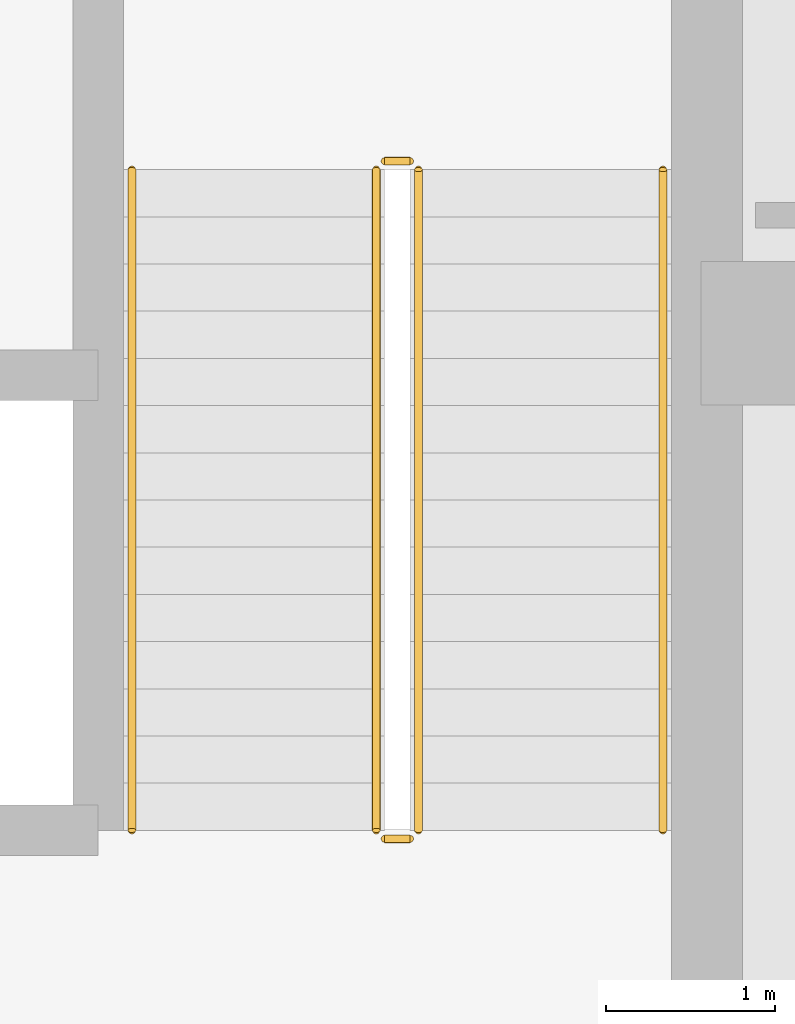
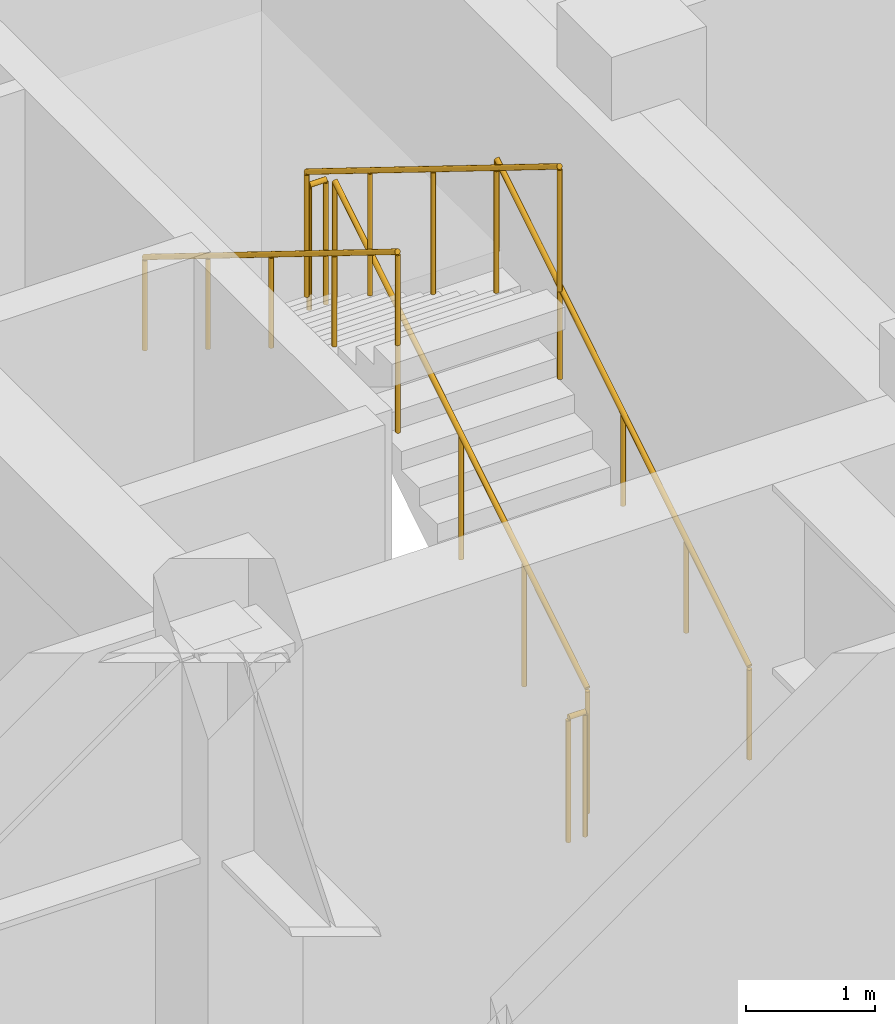
# One storey, part 29 of 33: 6 railings.
"""IFC4 building model written with IfcOpenShell, lengths in metres."""

import ifcopenshell
import ifcopenshell.guid

model = None  # the IFC model being written
_history = None  # IfcOwnerHistory: only IFC2X3 demands one
_inside = {}  # id of a spatial element -> (the spatial element, [elements in it])
_under = {}  # id of a project, library or spatial element -> (it, [spatial elements below it])
_declared = {}  # id of a project -> (the project, [libraries it declares])
_typed = {}  # id of a type object -> (the type object, [elements of that type])
_made_of = {}  # id of a material, layer set ... -> (it, [elements and type objects made of it])


def new_model(schema):
    """Start an empty IFC model of exactly this schema.

    Asked for "IFC4X3", IfcOpenShell would pick the latest addendum, in which some entities
    have other attributes; the version numbers below select the first issue.
    IFC2X3 requires an IfcOwnerHistory on every rooted entity: one is made here for all.
    """
    global model, _history
    if schema == "IFC4X3":
        model = ifcopenshell.file(schema_version=(4, 3, 0, 0))
    else:
        model = ifcopenshell.file(schema=schema)
    _inside.clear()
    _under.clear()
    _declared.clear()
    _typed.clear()
    _made_of.clear()
    _history = None
    if model.schema == "IFC2X3":
        org = make("IfcOrganization", Name="unknown")
        user = make(
            "IfcPersonAndOrganization",
            ThePerson=make("IfcPerson", FamilyName="unknown"),
            TheOrganization=org,
        )
        app = make(
            "IfcApplication",
            ApplicationDeveloper=org,
            Version="unknown",
            ApplicationFullName="unknown",
            ApplicationIdentifier="unknown",
        )
        _history = make(
            "IfcOwnerHistory",
            OwningUser=user,
            OwningApplication=app,
            ChangeAction="ADDED",
            CreationDate=0,
        )
    return model


def make(cls, **values):
    """One entity of the class cls with the attributes given. An attribute that is None is left unset."""
    return model.create_entity(
        cls, **{name: value for name, value in values.items() if value is not None}
    )


def rooted(cls, **values):
    """An entity with a GlobalId (a new one), such as an element, a storey or a relation."""
    return make(cls, GlobalId=ifcopenshell.guid.new(), OwnerHistory=_history, **values)


def si_unit(unit_type, name, prefix=None):
    """IfcSIUnit, for example si_unit("LENGTHUNIT", "METRE", prefix="MILLI")."""
    return make("IfcSIUnit", UnitType=unit_type, Prefix=prefix, Name=name)


def assignment(units):
    """IfcUnitAssignment: the units of a project."""
    return None if units is None else make("IfcUnitAssignment", Units=units)


def point(xyz):
    """IfcCartesianPoint."""
    return None if xyz is None else make("IfcCartesianPoint", Coordinates=xyz)


def direction(xyz):
    """IfcDirection."""
    return None if xyz is None else make("IfcDirection", DirectionRatios=xyz)


def frame(location, z_axis=None, x_axis=None):
    """IfcAxis2Placement3D, a coordinate frame: its origin and axes. An axis left out is left unset."""
    return make(
        "IfcAxis2Placement3D",
        Location=point(location),
        Axis=direction(z_axis),
        RefDirection=direction(x_axis),
    )


def frame_2d(location, x_axis=None):
    """IfcAxis2Placement2D, a coordinate frame in the plane: its origin and x axis."""
    return make(
        "IfcAxis2Placement2D", Location=point(location), RefDirection=direction(x_axis)
    )


def origin():
    """The frame at (0, 0, 0) with its axes left unset."""
    return frame((0.0, 0.0, 0.0))


def origin_2d():
    """The frame at (0, 0) in the plane with its x axis left unset."""
    return frame_2d((0.0, 0.0))


def place(relative_to, where):
    """IfcLocalPlacement: puts the frame where relative to a parent placement (None: the world)."""
    return make(
        "IfcLocalPlacement", PlacementRelTo=relative_to, RelativePlacement=where
    )


def context(
    kind, dimensions, precision=None, world=None, true_north=None, identifier=None
):
    """IfcGeometricRepresentationContext, for example the 3D "Model" context."""
    return make(
        "IfcGeometricRepresentationContext",
        ContextIdentifier=identifier,
        ContextType=kind,
        CoordinateSpaceDimension=dimensions,
        Precision=precision,
        WorldCoordinateSystem=world,
        TrueNorth=true_north,
    )


def subcontext(parent, identifier, kind, view, scale=None):
    """IfcGeometricRepresentationSubContext, for example "Body" below "Model"."""
    return make(
        "IfcGeometricRepresentationSubContext",
        ContextIdentifier=identifier,
        ContextType=kind,
        ParentContext=parent,
        TargetScale=scale,
        TargetView=view,
    )


def project(units=None, contexts=None):
    """IfcProject with its units and contexts."""
    return rooted(
        "IfcProject",
        Name="project",
        RepresentationContexts=contexts,
        UnitsInContext=assignment(units),
    )


def spatial(cls, under=None, at=None, **own):
    """A site, building, storey or space (cls), placed at a placement, below another one or the project."""
    s = rooted(cls, ObjectPlacement=at, **own)
    if under is not None:
        _under.setdefault(under.id(), (under, []))[1].append(s)
    return s


def profile(cls, at=None, kind="AREA", **sizes):
    """A parametric profile (cls). Its sizes go by their IFC names, for example OverallWidth=200.0."""
    return make(cls, ProfileType=kind, Position=at, **sizes)


def circle(**sizes):
    """IfcCircleProfileDef."""
    return profile("IfcCircleProfileDef", **sizes)


def extrude(swept, where, along, depth):
    """IfcExtrudedAreaSolid: the profile swept, set in the frame where, extruded along a direction by depth."""
    return make(
        "IfcExtrudedAreaSolid",
        SweptArea=swept,
        Position=where,
        ExtrudedDirection=direction(along),
        Depth=depth,
    )


def shape(context_of_items, identifier, shape_type, items):
    """IfcShapeRepresentation: the items that make up one representation, for example the "Body"."""
    return make(
        "IfcShapeRepresentation",
        ContextOfItems=context_of_items,
        RepresentationIdentifier=identifier,
        RepresentationType=shape_type,
        Items=items,
    )


def source(mapping_origin, context_of_items, identifier, shape_type, items):
    """IfcRepresentationMap: a shape defined once, which mapped items show again and again."""
    return make(
        "IfcRepresentationMap",
        MappingOrigin=mapping_origin,
        MappedRepresentation=shape(context_of_items, identifier, shape_type, items),
    )


def transform(
    local_origin,
    x_axis=None,
    y_axis=None,
    z_axis=None,
    scale=None,
    scale2=None,
    scale3=None,
    uniform=True,
):
    """IfcCartesianTransformationOperator3D, or its non-uniform kind. x_axis, y_axis, z_axis: its Axis1, 2, 3."""
    if uniform:
        return make(
            "IfcCartesianTransformationOperator3D",
            Axis1=direction(x_axis),
            Axis2=direction(y_axis),
            LocalOrigin=point(local_origin),
            Scale=scale,
            Axis3=direction(z_axis),
        )
    return make(
        "IfcCartesianTransformationOperator3DnonUniform",
        Axis1=direction(x_axis),
        Axis2=direction(y_axis),
        LocalOrigin=point(local_origin),
        Scale=scale,
        Axis3=direction(z_axis),
        Scale2=scale2,
        Scale3=scale3,
    )


def mapped(mapping_source, mapping_target):
    """IfcMappedItem: shows the shape of a source again, moved by a transform."""
    return make(
        "IfcMappedItem", MappingSource=mapping_source, MappingTarget=mapping_target
    )


def material(Name=None, Category=None):
    """IfcMaterial."""
    return make("IfcMaterial", Name=Name, Category=Category)


def made_of(thing, what):
    """Note that an element or type object is made of a material, layer set ...; save() writes the relation."""
    if what is not None:
        _made_of.setdefault(what.id(), (what, []))[1].append(thing)
    return thing


def type_object(cls, material=None, **own):
    """A type object (cls), such as IfcWallType, which elements share."""
    return made_of(rooted(cls, **own), material)


def element(
    cls,
    number,
    at=None,
    inside=None,
    cuts=None,
    type_object=None,
    material=None,
    context=None,
    identifier="Body",
    shape_type=None,
    held_by="IfcProductDefinitionShape",
    body=None,
    shapes=None,
    **own,
):
    """One element of the class cls, such as IfcWall. Its Tag is "e" and its number.

    at: its placement. inside: the storey or other place that contains it. cuts: it is an
    opening in that element (IfcRelVoidsElement). A single representation is given by context,
    identifier, shape_type and body (its items); several are given by shapes. held_by: the class
    of the entity that holds the representations. save() writes the other relations.
    """
    e = rooted(cls, Tag="e%d" % number, ObjectPlacement=at, **own)
    if body is not None:
        shapes = [shape(context, identifier, shape_type, body)]
    if shapes is not None:
        e.Representation = make(held_by, Representations=shapes)
    if inside is not None:
        _inside.setdefault(inside.id(), (inside, []))[1].append(e)
    if cuts is not None:
        rooted(
            "IfcRelVoidsElement", RelatingBuildingElement=cuts, RelatedOpeningElement=e
        )
    if type_object is not None:
        _typed.setdefault(type_object.id(), (type_object, []))[1].append(e)
    return made_of(e, material)


def aggregate(whole, parts):
    """IfcRelAggregates: a whole, such as a stair, and the parts it consists of."""
    return rooted("IfcRelAggregates", RelatingObject=whole, RelatedObjects=parts)


def save(model, path):
    """Write the relations noted so far, then the file.

    IfcRelAggregates (storeys below a building ...), IfcRelContainedInSpatialStructure (elements
    in a storey), IfcRelDefinesByType, IfcRelAssociatesMaterial and IfcRelDeclares: one each for
    every whole, place, type object, material and project.
    """
    for whole, parts in _under.values():
        aggregate(whole, parts)
    for where, things in _inside.values():
        rooted(
            "IfcRelContainedInSpatialStructure",
            RelatedElements=things,
            RelatingStructure=where,
        )
    for kind, things in _typed.values():
        rooted("IfcRelDefinesByType", RelatedObjects=things, RelatingType=kind)
    for what, things in _made_of.values():
        rooted("IfcRelAssociatesMaterial", RelatedObjects=things, RelatingMaterial=what)
    for by, libraries in _declared.values():
        rooted("IfcRelDeclares", RelatingContext=by, RelatedDefinitions=libraries)
    model.write(path)


model = new_model("IFC4")

# Units and contexts
model_context = context("Model", 3, precision=1e-05, world=origin(), true_north=direction((0.0, 1.0)))
body_context = subcontext(model_context, "Body", "Model", "MODEL_VIEW")
ifc_project = project(units=[si_unit("LENGTHUNIT", "METRE"), si_unit("AREAUNIT", "SQUARE_METRE"), si_unit("VOLUMEUNIT", "CUBIC_METRE"), si_unit("PLANEANGLEUNIT", "RADIAN"), si_unit("MASSUNIT", "GRAM", prefix="KILO")], contexts=[model_context])

# Site, building, storey
site_placement = place(None, origin())
site = spatial("IfcSite", under=ifc_project, at=site_placement, CompositionType="ELEMENT")
building_placement = place(site_placement, origin())
building = spatial("IfcBuilding", under=site, at=building_placement, Name="Khorayat Bourse Tower", CompositionType="ELEMENT")
storey_placement = place(building_placement, frame((0.0, 0.0, 263.10009765625)))
storey = spatial("IfcBuildingStorey", under=building, at=storey_placement, Name="L62", CompositionType="ELEMENT", Elevation=263.10009765625)

# Railings
ifc_material_1 = material(Name="Powder-coated steel balustrade", Category="steel")
railing_type_1 = type_object("IfcRailingType", Name="RLG-GUARD-1200", PredefinedType="GUARDRAIL", material=ifc_material_1)
shared_shape_1 = source(origin(), body_context, "Body", "SweptSolid", [
    extrude(circle(Radius=0.02392578125, at=origin_2d()), frame((0.0, 0.0, 1.17578125), z_axis=(-1.0, 0.0, 0.0), x_axis=(0.0, -1.0, 0.0)), (0.0, 0.0, 1.0), 0.150146484375),
    extrude(circle(Radius=0.02099609375, at=origin_2d()), origin(), (0.0, 0.0, 1.0), 1.15185546875),
    extrude(circle(Radius=0.02099609375, at=origin_2d()), frame((-0.150146484375, 0.0, 0.0)), (0.0, 0.0, 1.0), 1.15185546875),
])
for number, where, name in (
    (1, (-6.64990234375, -4.97998046875, 2.599853515625), "L62 ST-1 stair guard 2"),
    (2, (-6.64990234375, -9.0, 0.0), "L62 ST-1 stair guard 4"),
):
    element("IfcRailing", number, at=place(storey_placement, frame(where)), inside=storey, type_object=railing_type_1, Name=name, PredefinedType="GUARDRAIL", context=body_context, shape_type="MappedRepresentation", body=[
        mapped(shared_shape_1, transform((0.0, 0.0, 0.0), scale=1.0)),
    ])
shared_shape_2 = source(origin(), body_context, "Body", "SweptSolid", [
    extrude(circle(Radius=0.02392578125, at=origin_2d()), frame((0.0, 0.0, 1.17578125), z_axis=(0.0, -0.850251603719, 0.526376491091), x_axis=(1.0, 0.0, 0.0)), (0.0, 0.0, 1.0), 4.6103515625),
    extrude(circle(Radius=0.02099609375, at=origin_2d()), origin(), (0.0, 0.0, 1.0), 1.15185546875),
    extrude(circle(Radius=0.02099609375, at=origin_2d()), frame((0.0, -0.97998046875, 0.606689453125)), (0.0, 0.0, 1.0), 1.15185546875),
    extrude(circle(Radius=0.02099609375, at=origin_2d()), frame((0.0, -1.9599609375, 1.21337890625)), (0.0, 0.0, 1.0), 1.15185546875),
    extrude(circle(Radius=0.02099609375, at=origin_2d()), frame((0.0, -2.93994140625, 1.820068359375)), (0.0, 0.0, 1.0), 1.15185546875),
    extrude(circle(Radius=0.02099609375, at=origin_2d()), frame((0.0, -3.919921875, 2.4267578125)), (0.0, 0.0, 1.0), 1.15185546875),
])
railing_1_placement = place(storey_placement, frame((-6.85009765625, -5.030029296875, 2.773193359375)))
element("IfcRailing", 3, at=railing_1_placement, inside=storey, type_object=railing_type_1, Name="L62 ST-1 stair guard 3", PredefinedType="GUARDRAIL", context=body_context, shape_type="MappedRepresentation", body=[
    mapped(shared_shape_2, transform((0.0, 0.0, 0.0), scale=1.0)),
])
ifc_material_2 = material(Name="Brushed bronze stainless-steel handrail", Category="steel")
railing_type_2 = type_object("IfcRailingType", Name="RLG-HAND-900", PredefinedType="HANDRAIL", material=ifc_material_2)
shared_shape_3 = source(origin(), body_context, "Body", "SweptSolid", [
    extrude(circle(Radius=0.02392578125, at=origin_2d()), frame((0.0, 0.0, 0.8759765625), z_axis=(0.0, -0.850251603719, 0.526376491091), x_axis=(1.0, 0.0, 0.0)), (0.0, 0.0, 1.0), 4.6103515625),
    extrude(circle(Radius=0.02099609375, at=origin_2d()), origin(), (0.0, 0.0, 1.0), 0.851806640625),
    extrude(circle(Radius=0.02099609375, at=origin_2d()), frame((0.0, -0.97998046875, 0.606689453125)), (0.0, 0.0, 1.0), 0.851806640625),
    extrude(circle(Radius=0.02099609375, at=origin_2d()), frame((0.0, -1.9599609375, 1.21337890625)), (0.0, 0.0, 1.0), 0.851806640625),
    extrude(circle(Radius=0.02099609375, at=origin_2d()), frame((0.0, -2.93994140625, 1.820068359375)), (0.0, 0.0, 1.0), 0.851806640625),
    extrude(circle(Radius=0.02099609375, at=origin_2d()), frame((0.0, -3.919921875, 2.4267578125)), (0.0, 0.0, 1.0), 0.851806640625),
])
railing_2_placement = place(storey_placement, frame((-8.300048828125, -5.030029296875, 2.773193359375)))
element("IfcRailing", 4, at=railing_2_placement, inside=storey, type_object=railing_type_2, Name="L62 ST-1 stair handrail 2", PredefinedType="HANDRAIL", context=body_context, shape_type="MappedRepresentation", body=[
    mapped(shared_shape_3, transform((0.0, 0.0, 0.0), scale=1.0)),
])
shared_shape_4 = source(origin(), body_context, "Body", "SweptSolid", [
    extrude(circle(Radius=0.02392578125, at=origin_2d()), frame((0.0, 0.0, 1.17578125), z_axis=(0.0, 0.850275303828, 0.526338206574), x_axis=(-1.0, 0.0, 0.0)), (0.0, 0.0, 1.0), 4.610107421875),
    extrude(circle(Radius=0.02099609375, at=origin_2d()), origin(), (0.0, 0.0, 1.0), 1.15185546875),
    extrude(circle(Radius=0.02099609375, at=origin_2d()), frame((0.0, 0.97998046875, 0.606689453125)), (0.0, 0.0, 1.0), 1.15185546875),
    extrude(circle(Radius=0.02099609375, at=origin_2d()), frame((0.0, 1.9599609375, 1.21337890625)), (0.0, 0.0, 1.0), 1.15185546875),
    extrude(circle(Radius=0.02099609375, at=origin_2d()), frame((0.0, 2.93994140625, 1.81982421875)), (0.0, 0.0, 1.0), 1.15185546875),
    extrude(circle(Radius=0.02099609375, at=origin_2d()), frame((0.0, 3.919921875, 2.426513671875)), (0.0, 0.0, 1.0), 1.15185546875),
])
railing_3_placement = place(storey_placement, frame((-6.60009765625, -8.949951171875, 0.17333984375)))
element("IfcRailing", 5, at=railing_3_placement, inside=storey, type_object=railing_type_1, Name="L62 ST-1 stair guard 1", PredefinedType="GUARDRAIL", context=body_context, shape_type="MappedRepresentation", body=[
    mapped(shared_shape_4, transform((0.0, 0.0, 0.0), scale=1.0)),
])
shared_shape_5 = source(origin(), body_context, "Body", "SweptSolid", [
    extrude(circle(Radius=0.02392578125, at=origin_2d()), frame((0.0, 0.0, 0.8759765625), z_axis=(0.0, 0.850275303828, 0.526338206574), x_axis=(-1.0, 0.0, 0.0)), (0.0, 0.0, 1.0), 4.610107421875),
    extrude(circle(Radius=0.02099609375, at=origin_2d()), origin(), (0.0, 0.0, 1.0), 0.851806640625),
    extrude(circle(Radius=0.02099609375, at=origin_2d()), frame((0.0, 0.97998046875, 0.606689453125)), (0.0, 0.0, 1.0), 0.851806640625),
    extrude(circle(Radius=0.02099609375, at=origin_2d()), frame((0.0, 1.9599609375, 1.21337890625)), (0.0, 0.0, 1.0), 0.851806640625),
    extrude(circle(Radius=0.02099609375, at=origin_2d()), frame((0.0, 2.93994140625, 1.81982421875)), (0.0, 0.0, 1.0), 0.851806640625),
    extrude(circle(Radius=0.02099609375, at=origin_2d()), frame((0.0, 3.919921875, 2.426513671875)), (0.0, 0.0, 1.0), 0.851806640625),
])
railing_4_placement = place(storey_placement, frame((-5.14990234375, -8.949951171875, 0.17333984375)))
element("IfcRailing", 6, at=railing_4_placement, inside=storey, type_object=railing_type_2, Name="L62 ST-1 stair handrail 1", PredefinedType="HANDRAIL", context=body_context, shape_type="MappedRepresentation", body=[
    mapped(shared_shape_5, transform((0.0, 0.0, 0.0), scale=1.0)),
])

save(model, "model.ifc")
